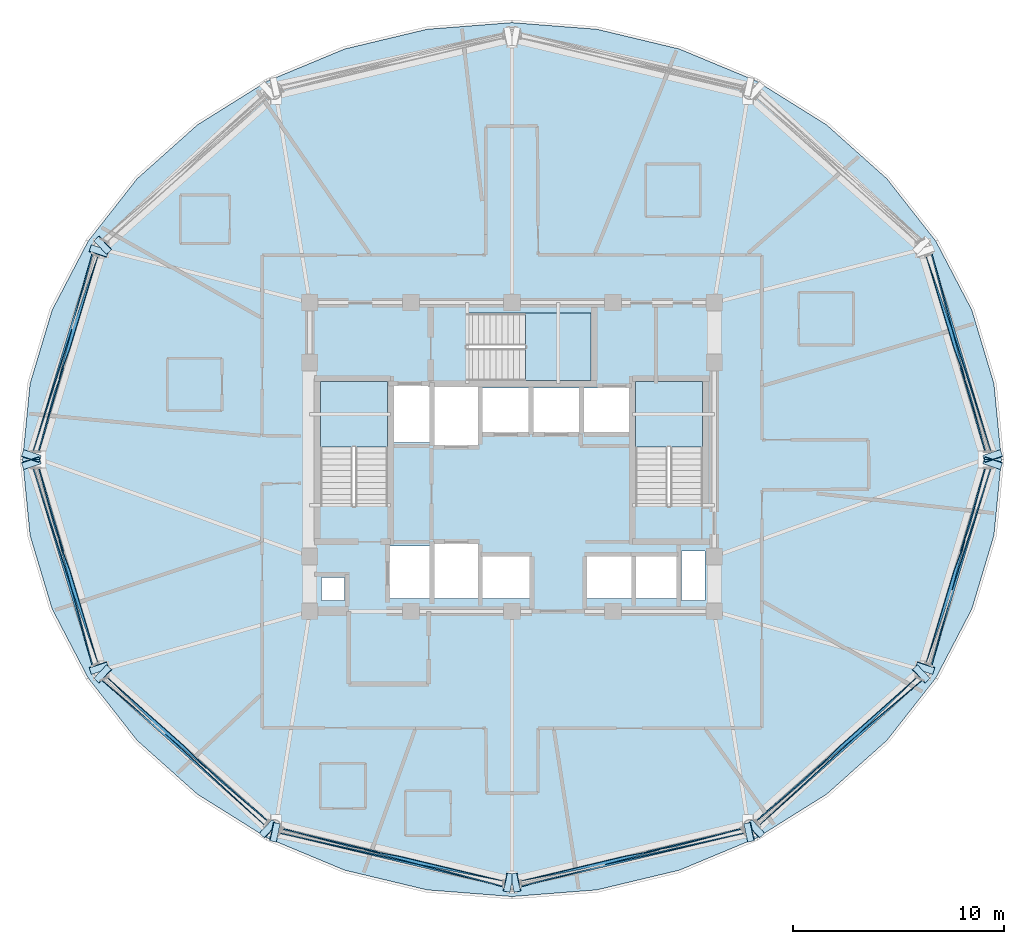
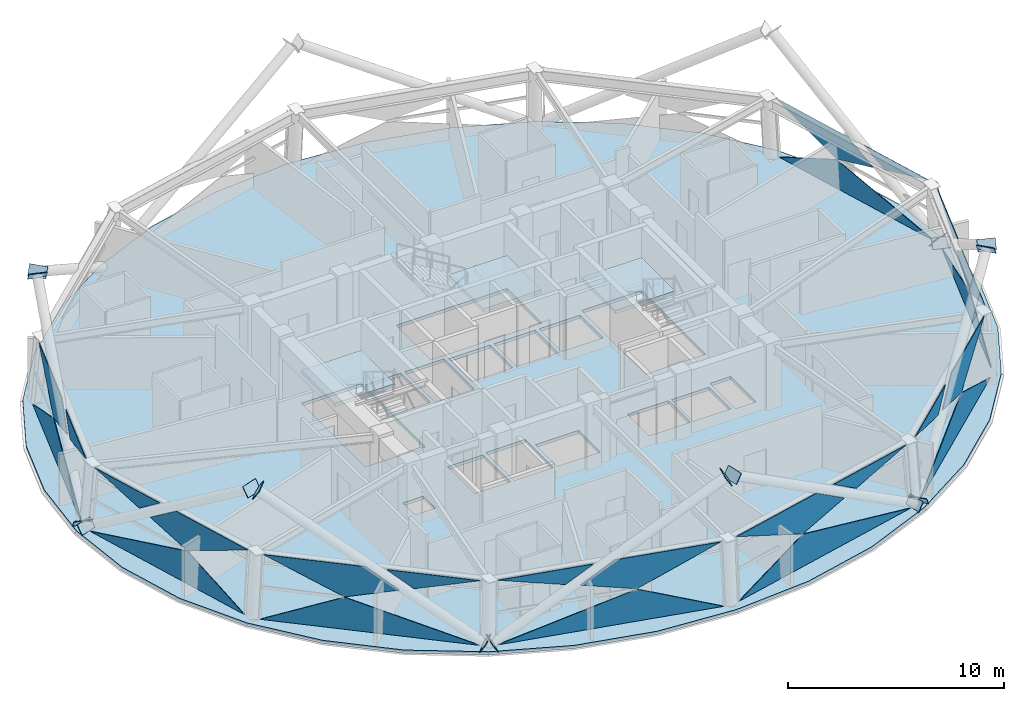
# One storey, part 3 of 12: 40 plates, 4 slabs, 11 elements without a shape of their own.
"""IFC4 building model written with IfcOpenShell, lengths in metres."""

from ifc_helpers import new_model, si_unit, direction, frame, origin, place, context, subcontext, project, spatial, polyline, outline, extrude, material, layer, layer_set, type_object, element, aggregate, save


model = new_model("IFC4")

# Units and contexts
model_context = context("Model", 3, precision=1e-05, world=origin(), true_north=direction((0.0, 1.0)))
body_context = subcontext(model_context, "Body", "Model", "MODEL_VIEW")
ifc_project = project(units=[si_unit("LENGTHUNIT", "METRE"), si_unit("AREAUNIT", "SQUARE_METRE"), si_unit("VOLUMEUNIT", "CUBIC_METRE"), si_unit("PLANEANGLEUNIT", "RADIAN"), si_unit("MASSUNIT", "GRAM", prefix="KILO")], contexts=[model_context])

# Site, building, storey
site_placement = place(None, origin())
site = spatial("IfcSite", under=ifc_project, at=site_placement, CompositionType="ELEMENT")
building_placement = place(site_placement, origin())
building = spatial("IfcBuilding", under=site, at=building_placement, Name="Vantalir Tower", CompositionType="ELEMENT")
storey_placement = place(building_placement, frame((0.0, 0.0, 197.39990234375)))
storey = spatial("IfcBuildingStorey", under=building, at=storey_placement, Name="L49", CompositionType="ELEMENT", Elevation=197.39990234375)

# Curtain wall, plates
ifc_material_1 = material(Name="Champagne-silver PVDF aluminium and double-silver Low-E glass", Category="aluminium")
ifc_layer_1 = layer(ifc_material_1, 0.2099609375)
ifc_layer_set_1 = layer_set([ifc_layer_1], Name="Champagne-silver PVDF aluminium and double-silver Low-E glass")
curtain_wall_type = type_object("IfcCurtainWallType", Name="CW-DIAMOND-Z3", PredefinedType="USERDEFINED", material=ifc_layer_set_1)
curtain_wall_1_placement = place(storey_placement, origin())
curtain_wall_1 = element("IfcCurtainWall", 1, at=curtain_wall_1_placement, inside=storey, type_object=curtain_wall_type, Name="L49 Quilted Pyramid-Diamond Curtain Wall S01", ObjectType="UNITISED CURTAIN WALL", PredefinedType="USERDEFINED")
ifc_material_2 = material(Name="Double-silver Low-E acoustic glass IGU", Category="glass")
ifc_layer_2 = layer(ifc_material_2, 0.031982421875)
ifc_layer_set_2 = layer_set([ifc_layer_2], Name="Double-silver Low-E acoustic glass IGU")
plate_type_1 = type_object("IfcPlateType", Name="CWP-IGU-32", PredefinedType="CURTAIN_PANEL", material=ifc_layer_set_2)
plate_1_placement = place(storey_placement, frame((54.24365234375, 25.406982421875, 0.046630859375), z_axis=(0.955502166213, 0.287244342417, 0.067128966269), x_axis=(-0.287896955758, 0.957661391295, 4.9878197e-05)))
plate_1 = element("IfcPlate", 2, at=plate_1_placement, type_object=plate_type_1, Name="CW-L49-S01 Pyramid Diamond Facet 1L", PredefinedType="CURTAIN_PANEL", context=body_context, shape_type="SweptSolid", body=[
    extrude(outline(polyline([(0.0, 0.0), (9.789472652041528, -2.9327668765732895e-17), (6.064695314507102, 1.7296733371030024), (0.0, 0.0)])), origin(), (0.0, 0.0, -1.0), 0.031982421875),
])
plate_2_placement = place(storey_placement, frame((52.4833984375, 30.2841796875, 3.523193359375), z_axis=(0.953380005827, 0.286649408617, 0.094332820528), x_axis=(-0.287933375796, 0.957650443065, -1.02528e-07)))
plate_2 = element("IfcPlate", 3, at=plate_2_placement, type_object=plate_type_1, Name="CW-L49-S01 Pyramid Diamond Facet 2U", PredefinedType="CURTAIN_PANEL", context=body_context, shape_type="SweptSolid", body=[
    extrude(outline(polyline([(0.0, 0.0), (4.5600583911463985, 1.3877787807814457e-17), (0.8872226121193407, -1.7333151896975312), (-1.5285830688313975, -1.0329270509139452), (0.0, 0.0)])), origin(), (0.0, 0.0, -1.0), 0.031982421875),
])
plate_3_placement = place(storey_placement, frame((53.984130859375, 25.417236328125, 3.52685546875), z_axis=(0.953382425464, 0.286647178585, 0.094315141017), x_axis=(-0.287925272983, 0.957652877431, -5.9378279e-05)))
plate_3 = element("IfcPlate", 4, at=plate_3_placement, type_object=plate_type_1, Name="CW-L49-S01 Pyramid Diamond Facet 2U Infill Light", PredefinedType="CURTAIN_PANEL", context=body_context, shape_type="SweptSolid", body=[
    extrude(outline(polyline([(0.0, 0.0), (4.111615067207057, 4.662069341687669e-18), (2.877573539360685, -0.834113694279638), (0.0, 0.0)])), origin(), (0.0, 0.0, -1.0), 0.031982421875),
])
aggregate(curtain_wall_1, [plate_1, plate_2, plate_3])

curtain_wall_2_placement = place(storey_placement, origin())
curtain_wall_2 = element("IfcCurtainWall", 5, at=curtain_wall_2_placement, inside=storey, type_object=curtain_wall_type, Name="L49 Quilted Pyramid-Diamond Curtain Wall S06", ObjectType="UNITISED CURTAIN WALL", PredefinedType="USERDEFINED")
plate_4_placement = place(storey_placement, frame((11.57470703125, 34.781982421875, 0.047119140625), z_axis=(-0.955502166213, 0.287244342417, 0.067128966269), x_axis=(-0.287896955758, -0.957661391295, -4.9878197e-05)))
plate_4 = element("IfcPlate", 6, at=plate_4_placement, type_object=plate_type_1, Name="CW-L49-S06 Pyramid Diamond Facet 1L", PredefinedType="CURTAIN_PANEL", context=body_context, shape_type="SweptSolid", body=[
    extrude(outline(polyline([(0.0, 0.0), (9.789472652041528, 2.9327668765732895e-17), (3.724777337534425, 1.7296733371030024), (0.0, 0.0)])), origin(), (0.0, 0.0, -1.0), 0.031982421875),
])
plate_5_placement = place(storey_placement, frame((11.82958984375, 34.651123046875, 3.523193359375), z_axis=(-0.953380005827, 0.286649408617, 0.094332820528), x_axis=(-0.287933375796, -0.957650443065, 1.02528e-07)))
plate_5 = element("IfcPlate", 7, at=plate_5_placement, type_object=plate_type_1, Name="CW-L49-S06 Pyramid Diamond Facet 2U", PredefinedType="CURTAIN_PANEL", context=body_context, shape_type="SweptSolid", body=[
    extrude(outline(polyline([(0.0, 0.0), (4.5600583911463985, -1.3877787807814457e-17), (6.088641459977796, -1.0329270509139452), (3.6728357790270576, -1.7333151896975312), (0.0, 0.0)])), origin(), (0.0, 0.0, -1.0), 0.031982421875),
])
plate_6_placement = place(storey_placement, frame((10.19970703125, 29.354736328125, 3.526611328125), z_axis=(-0.953382425464, 0.286647178585, 0.094315141017), x_axis=(-0.287925272983, -0.957652877431, 5.9378279e-05)))
plate_6 = element("IfcPlate", 8, at=plate_6_placement, type_object=plate_type_1, Name="CW-L49-S06 Pyramid Diamond Facet 2U Infill Light", PredefinedType="CURTAIN_PANEL", context=body_context, shape_type="SweptSolid", body=[
    extrude(outline(polyline([(0.0, 0.0), (4.111615067207057, -4.662069341687669e-18), (1.2340415278463723, -0.834113694279638), (0.0, 0.0)])), origin(), (0.0, 0.0, -1.0), 0.031982421875),
])
aggregate(curtain_wall_2, [plate_4, plate_5, plate_6])

curtain_wall_3_placement = place(storey_placement, origin())
curtain_wall_3 = element("IfcCurtainWall", 9, at=curtain_wall_3_placement, inside=storey, type_object=curtain_wall_type, Name="L49 Quilted Pyramid-Diamond Curtain Wall S07", ObjectType="UNITISED CURTAIN WALL", PredefinedType="USERDEFINED")
plate_7_placement = place(storey_placement, frame((8.75634765625, 24.593017578125, 0.046630859375), z_axis=(-0.955502166213, -0.287244342417, 0.067128966269), x_axis=(0.287896955758, -0.957661391295, 4.9878197e-05)))
plate_7 = element("IfcPlate", 10, at=plate_7_placement, type_object=plate_type_1, Name="CW-L49-S07 Pyramid Diamond Facet 1L", PredefinedType="CURTAIN_PANEL", context=body_context, shape_type="SweptSolid", body=[
    extrude(outline(polyline([(0.0, 0.0), (9.789472652041528, -2.9327668765732895e-17), (6.064695314507102, 1.7296733371030024), (0.0, 0.0)])), origin(), (0.0, 0.0, -1.0), 0.031982421875),
])
plate_8_placement = place(storey_placement, frame((10.5166015625, 19.7158203125, 3.523193359375), z_axis=(-0.953380005827, -0.286649408617, 0.094332820528), x_axis=(0.287933375796, -0.957650443065, -1.02528e-07)))
plate_8 = element("IfcPlate", 11, at=plate_8_placement, type_object=plate_type_1, Name="CW-L49-S07 Pyramid Diamond Facet 2U", PredefinedType="CURTAIN_PANEL", context=body_context, shape_type="SweptSolid", body=[
    extrude(outline(polyline([(0.0, 0.0), (4.5600583911463985, 1.3877787807814457e-17), (0.8872226121193407, -1.7333151896975312), (-1.5285830688313975, -1.0329270509139452), (0.0, 0.0)])), origin(), (0.0, 0.0, -1.0), 0.031982421875),
])
plate_9_placement = place(storey_placement, frame((9.015869140625, 24.582763671875, 3.52685546875), z_axis=(-0.953382425464, -0.286647178585, 0.094315141017), x_axis=(0.287925272983, -0.957652877431, -5.9378279e-05)))
plate_9 = element("IfcPlate", 12, at=plate_9_placement, type_object=plate_type_1, Name="CW-L49-S07 Pyramid Diamond Facet 2U Infill Light", PredefinedType="CURTAIN_PANEL", context=body_context, shape_type="SweptSolid", body=[
    extrude(outline(polyline([(0.0, 0.0), (4.111615067207057, 4.662069341687669e-18), (2.877573539360685, -0.834113694279638), (0.0, 0.0)])), origin(), (0.0, 0.0, -1.0), 0.031982421875),
])
aggregate(curtain_wall_3, [plate_7, plate_8, plate_9])

curtain_wall_4_placement = place(storey_placement, origin())
curtain_wall_4 = element("IfcCurtainWall", 13, at=curtain_wall_4_placement, inside=storey, type_object=curtain_wall_type, Name="L49 Quilted Pyramid-Diamond Curtain Wall S08", ObjectType="UNITISED CURTAIN WALL", PredefinedType="USERDEFINED")
plate_10_placement = place(storey_placement, frame((12.014404296875, 14.5283203125, 0.046875), z_axis=(-0.663984326582, -0.745068091654, 0.063232530015), x_axis=(0.746561102412, -0.665316856701, -2.3562716e-05)))
plate_10 = element("IfcPlate", 14, at=plate_10_placement, type_object=plate_type_1, Name="CW-L49-S08 Pyramid Diamond Facet 1L", PredefinedType="CURTAIN_PANEL", context=body_context, shape_type="SweptSolid", body=[
    extrude(outline(polyline([(0.0, 0.0), (10.361310731979284, -5.854691731421724e-18), (3.96212236538051, 1.7296288742040788), (0.0, 0.0)])), origin(), (0.0, 0.0, -1.0), 0.031982421875),
])
plate_11_placement = place(storey_placement, frame((12.26904296875, 14.6591796875, 3.523193359375), z_axis=(-0.662553531823, -0.743569086456, 0.090154484838), x_axis=(0.746612433206, -0.665259251797, 4.980793e-05)))
plate_11 = element("IfcPlate", 15, at=plate_11_placement, type_object=plate_type_1, Name="CW-L49-S08 Pyramid Diamond Facet 2U", PredefinedType="CURTAIN_PANEL", context=body_context, shape_type="SweptSolid", body=[
    extrude(outline(polyline([(0.0, 0.0), (4.81443140337489, -2.688821387764051e-17), (6.420620150073501, -1.0348071856573218), (3.859123806723733, -1.7333292551714738), (0.0, 0.0)])), origin(), (0.0, 0.0, -1.0), 0.031982421875),
])
plate_12_placement = place(storey_placement, frame((16.597412109375, 10.75439453125, 3.526611328125), z_axis=(-0.662576374777, -0.743541148223, 0.090217007741), x_axis=(0.746588979014, -0.665285572757, 5.5649149e-05)))
plate_12 = element("IfcPlate", 16, at=plate_12_placement, type_object=plate_type_1, Name="CW-L49-S08 Pyramid Diamond Facet 2U Infill Light", PredefinedType="CURTAIN_PANEL", context=body_context, shape_type="SweptSolid", body=[
    extrude(outline(polyline([(0.0, 0.0), (4.387140337013057, -7.806255641895632e-18), (1.304587843348981, -0.8404137600183067), (0.0, 0.0)])), origin(), (0.0, 0.0, -1.0), 0.031982421875),
])
aggregate(curtain_wall_4, [plate_10, plate_11, plate_12])

curtain_wall_5_placement = place(storey_placement, origin())
curtain_wall_5 = element("IfcCurtainWall", 17, at=curtain_wall_5_placement, inside=storey, type_object=curtain_wall_type, Name="L49 Quilted Pyramid-Diamond Curtain Wall S09", ObjectType="UNITISED CURTAIN WALL", PredefinedType="USERDEFINED")
plate_13_placement = place(storey_placement, frame((20.480224609375, 7.25341796875, 0.046630859375), z_axis=(-0.231847246293, -0.970918842614, 0.059694685225), x_axis=(0.972653703478, -0.232260139948, 2.2388677e-05)))
plate_13 = element("IfcPlate", 18, at=plate_13_placement, type_object=plate_type_1, Name="CW-L49-S09 Pyramid Diamond Facet 1L", PredefinedType="CURTAIN_PANEL", context=body_context, shape_type="SweptSolid", body=[
    extrude(outline(polyline([(0.0, 0.0), (10.90464702346708, -1.6127507315721878e-17), (6.754017756472119, 1.7294955271253203), (0.0, 0.0)])), origin(), (0.0, 0.0, -1.0), 0.031982421875),
])
plate_14_placement = place(storey_placement, frame((26.12646484375, 6.16796875, 3.5234375), z_axis=(-0.231369847182, -0.968975027795, 0.086921742536), x_axis=(0.9726564139, -0.232248790089, 1.012551e-06)))
plate_14 = element("IfcPlate", 19, at=plate_14_placement, type_object=plate_type_1, Name="CW-L49-S09 Pyramid Diamond Facet 2U", PredefinedType="CURTAIN_PANEL", context=body_context, shape_type="SweptSolid", body=[
    extrude(outline(polyline([(0.0, 0.0), (5.099633603987261, 1.3877787807814457e-17), (1.0101105331855291, -1.7328780782961377), (-1.6861816620711338, -1.0317301114437538), (0.0, 0.0)])), origin(), (0.0, 0.0, -1.0), 0.031982421875),
])
plate_15_placement = place(storey_placement, frame((20.618896484375, 7.4462890625, 3.52685546875), z_axis=(-0.231359191584, -0.968958755351, 0.087131250985), x_axis=(0.97265684936, -0.232246960321, -5.3060763e-05)))
plate_15 = element("IfcPlate", 20, at=plate_15_placement, type_object=plate_type_1, Name="CW-L49-S09 Pyramid Diamond Facet 2U Infill Light", PredefinedType="CURTAIN_PANEL", context=body_context, shape_type="SweptSolid", body=[
    extrude(outline(polyline([(0.0, 0.0), (4.601151783202454, -8.456776945386935e-18), (3.2288574456792145, -0.8396920803000676), (0.0, 0.0)])), origin(), (0.0, 0.0, -1.0), 0.031982421875),
])
aggregate(curtain_wall_5, [plate_13, plate_14, plate_15])

curtain_wall_6_placement = place(storey_placement, origin())
curtain_wall_6 = element("IfcCurtainWall", 21, at=curtain_wall_6_placement, inside=storey, type_object=curtain_wall_type, Name="L49 Quilted Pyramid-Diamond Curtain Wall S10", ObjectType="UNITISED CURTAIN WALL", PredefinedType="USERDEFINED")
plate_16_placement = place(storey_placement, frame((31.913330078125, 4.720703125, 0.046875), z_axis=(0.231847246293, -0.970918842614, 0.059694685225), x_axis=(0.972653703478, 0.232260139948, -2.2388677e-05)))
plate_16 = element("IfcPlate", 22, at=plate_16_placement, type_object=plate_type_1, Name="CW-L49-S10 Pyramid Diamond Facet 1L", PredefinedType="CURTAIN_PANEL", context=body_context, shape_type="SweptSolid", body=[
    extrude(outline(polyline([(0.0, 0.0), (10.90464702346708, 1.6127507315721878e-17), (4.150629266994962, 1.7294955271253203), (0.0, 0.0)])), origin(), (0.0, 0.0, -1.0), 0.031982421875),
])
plate_17_placement = place(storey_placement, frame((31.913330078125, 4.983642578125, 3.5234375), z_axis=(0.231369847182, -0.968975027795, 0.086921742536), x_axis=(0.9726564139, 0.232248790089, -1.012551e-06)))
plate_17 = element("IfcPlate", 23, at=plate_17_placement, type_object=plate_type_1, Name="CW-L49-S10 Pyramid Diamond Facet 2U", PredefinedType="CURTAIN_PANEL", context=body_context, shape_type="SweptSolid", body=[
    extrude(outline(polyline([(0.0, 0.0), (5.099633603987261, -1.3877787807814457e-17), (6.785815266058395, -1.0317301114437538), (4.089523070801732, -1.7328780782961377), (0.0, 0.0)])), origin(), (0.0, 0.0, -1.0), 0.031982421875),
])
plate_18_placement = place(storey_placement, frame((37.90576171875, 6.377685546875, 3.526611328125), z_axis=(0.231359191584, -0.968958755351, 0.087131250985), x_axis=(0.97265684936, 0.232246960321, 5.3060763e-05)))
plate_18 = element("IfcPlate", 24, at=plate_18_placement, type_object=plate_type_1, Name="CW-L49-S10 Pyramid Diamond Facet 2U Infill Light", PredefinedType="CURTAIN_PANEL", context=body_context, shape_type="SweptSolid", body=[
    extrude(outline(polyline([(0.0, 0.0), (4.601151783202454, 8.456776945386935e-18), (1.3722943375232384, -0.8396920803000677), (0.0, 0.0)])), origin(), (0.0, 0.0, -1.0), 0.031982421875),
])
aggregate(curtain_wall_6, [plate_16, plate_17, plate_18])

curtain_wall_7_placement = place(storey_placement, origin())
curtain_wall_7 = element("IfcCurtainWall", 25, at=curtain_wall_7_placement, inside=storey, type_object=curtain_wall_type, Name="L49 Quilted Pyramid-Diamond Curtain Wall S11", ObjectType="UNITISED CURTAIN WALL", PredefinedType="USERDEFINED")
plate_19_placement = place(storey_placement, frame((43.250244140625, 7.634765625, 0.046630859375), z_axis=(0.663984326582, -0.745068091654, 0.063232530015), x_axis=(0.746561102412, 0.665316856701, 2.3562716e-05)))
plate_19 = element("IfcPlate", 26, at=plate_19_placement, type_object=plate_type_1, Name="CW-L49-S11 Pyramid Diamond Facet 1L", PredefinedType="CURTAIN_PANEL", context=body_context, shape_type="SweptSolid", body=[
    extrude(outline(polyline([(0.0, 0.0), (10.361310731979284, 5.854691731421724e-18), (6.399188366598775, 1.7296288742040788), (0.0, 0.0)])), origin(), (0.0, 0.0, -1.0), 0.031982421875),
])
plate_20_placement = place(storey_placement, frame((47.136474609375, 11.456298828125, 3.5234375), z_axis=(0.662553531823, -0.743569086456, 0.090154484838), x_axis=(0.746612433206, 0.665259251797, -4.980793e-05)))
plate_20 = element("IfcPlate", 27, at=plate_20_placement, type_object=plate_type_1, Name="CW-L49-S11 Pyramid Diamond Facet 2U", PredefinedType="CURTAIN_PANEL", context=body_context, shape_type="SweptSolid", body=[
    extrude(outline(polyline([(0.0, 0.0), (4.81443140337489, 2.688821387764051e-17), (0.9553075966511566, -1.7333292551714738), (-1.6061887466986107, -1.0348071856573218), (0.0, 0.0)])), origin(), (0.0, 0.0, -1.0), 0.031982421875),
])
plate_21_placement = place(storey_placement, frame((43.127197265625, 7.835693359375, 3.52685546875), z_axis=(0.662576374777, -0.743541148223, 0.090217007741), x_axis=(0.746588979014, 0.665285572757, -5.5649149e-05)))
plate_21 = element("IfcPlate", 28, at=plate_21_placement, type_object=plate_type_1, Name="CW-L49-S11 Pyramid Diamond Facet 2U Infill Light", PredefinedType="CURTAIN_PANEL", context=body_context, shape_type="SweptSolid", body=[
    extrude(outline(polyline([(0.0, 0.0), (4.387140337013057, 7.806255641895632e-18), (3.0825524936640756, -0.8404137600183067), (0.0, 0.0)])), origin(), (0.0, 0.0, -1.0), 0.031982421875),
])
aggregate(curtain_wall_7, [plate_19, plate_20, plate_21])

curtain_wall_8_placement = place(storey_placement, origin())
curtain_wall_8 = element("IfcCurtainWall", 29, at=curtain_wall_8_placement, inside=storey, type_object=curtain_wall_type, Name="L49 Quilted Pyramid-Diamond Curtain Wall S12", ObjectType="UNITISED CURTAIN WALL", PredefinedType="USERDEFINED")
plate_22_placement = place(storey_placement, frame((51.42529296875, 15.218017578125, 0.047119140625), z_axis=(0.955502166213, -0.287244342417, 0.067128966269), x_axis=(0.287896955758, 0.957661391295, -4.9878197e-05)))
plate_22 = element("IfcPlate", 30, at=plate_22_placement, type_object=plate_type_1, Name="CW-L49-S12 Pyramid Diamond Facet 1L", PredefinedType="CURTAIN_PANEL", context=body_context, shape_type="SweptSolid", body=[
    extrude(outline(polyline([(0.0, 0.0), (9.789472652041528, 2.9327668765732895e-17), (3.724777337534425, 1.7296733371030024), (0.0, 0.0)])), origin(), (0.0, 0.0, -1.0), 0.031982421875),
])
plate_23_placement = place(storey_placement, frame((51.17041015625, 15.348876953125, 3.523193359375), z_axis=(0.953380005827, -0.286649408617, 0.094332820528), x_axis=(0.287933375796, 0.957650443065, 1.02528e-07)))
plate_23 = element("IfcPlate", 31, at=plate_23_placement, type_object=plate_type_1, Name="CW-L49-S12 Pyramid Diamond Facet 2U", PredefinedType="CURTAIN_PANEL", context=body_context, shape_type="SweptSolid", body=[
    extrude(outline(polyline([(0.0, 0.0), (4.5600583911463985, -1.3877787807814457e-17), (6.088641459977796, -1.0329270509139452), (3.6728357790270576, -1.7333151896975312), (0.0, 0.0)])), origin(), (0.0, 0.0, -1.0), 0.031982421875),
])
plate_24_placement = place(storey_placement, frame((52.80029296875, 20.645263671875, 3.526611328125), z_axis=(0.953382425464, -0.286647178585, 0.094315141017), x_axis=(0.287925272983, 0.957652877431, 5.9378279e-05)))
plate_24 = element("IfcPlate", 32, at=plate_24_placement, type_object=plate_type_1, Name="CW-L49-S12 Pyramid Diamond Facet 2U Infill Light", PredefinedType="CURTAIN_PANEL", context=body_context, shape_type="SweptSolid", body=[
    extrude(outline(polyline([(0.0, 0.0), (4.111615067207057, -4.662069341687669e-18), (1.2340415278463723, -0.834113694279638), (0.0, 0.0)])), origin(), (0.0, 0.0, -1.0), 0.031982421875),
])
aggregate(curtain_wall_8, [plate_22, plate_23, plate_24])

# Plates
ifc_material_3 = material(Name="Steel S460", Category="steel")
ifc_layer_3 = layer(ifc_material_3, 0.035888671875)
ifc_layer_set_3 = layer_set([ifc_layer_3], Name="Steel S460")
plate_type_2 = type_object("IfcPlateType", Name="PLT-KN-Z2", PredefinedType="USERDEFINED", material=ifc_layer_set_3)
plate_25_placement = place(storey_placement, frame((54.673828125, 25.471435546875, -0.032470703125), z_axis=(-0.259593208658, 0.786708767806, 0.560089886247), x_axis=(-0.949649026051, -0.313315693166, -6.1123879e-05)))
element("IfcPlate", 33, at=plate_25_placement, inside=storey, type_object=plate_type_2, Name="Node Cap Plate MEM-DG-L49-R01L Start", ObjectType="FLANGE_PLATE", PredefinedType="USERDEFINED", context=body_context, shape_type="SweptSolid", body=[
    extrude(outline(polyline([(0.0, 0.0), (0.8799760824602756, 0.0), (0.8799534019193953, 0.5800387095738335), (-9.917363003215845e-05, 0.5799088500322518), (0.0, 0.0)])), origin(), (0.0, 0.0, -1.0), 0.035888671875),
])
for number, where, z_axis, x_axis, name in (
    (34, (53.838134765625, 24.80419921875, -0.032470703125), (-0.259593208658, -0.786708767806, 0.560089886247), (0.949649026051, -0.313315693166, 6.1123879e-05), "Node Cap Plate MEM-DG-L49-R01R Start"),
    (35, (50.629150390625, 15.07666015625, 6.892333984375), (-0.259593208658, -0.786708767806, 0.560089886247), (0.949649026051, -0.313315693166, 6.1123879e-05), "Node Cap Plate MEM-DG-L49-R01R End"),
):
    element("IfcPlate", number, at=place(storey_placement, frame(where, z_axis=z_axis, x_axis=x_axis)), inside=storey, type_object=plate_type_2, Name=name, ObjectType="FLANGE_PLATE", PredefinedType="USERDEFINED", context=body_context, shape_type="SweptSolid", body=[
        extrude(outline(polyline([(0.0, 0.0), (0.8799760824602756, 0.0), (0.8800752560903078, 0.5799088500322517), (2.268054088023957e-05, 0.5800387095738335), (0.0, 0.0)])), origin(), (0.0, 0.0, -1.0), 0.035888671875),
    ])
plate_26_placement = place(storey_placement, frame((11.654541015625, 35.38232421875, 6.892333984375), z_axis=(-0.613977066316, -0.574102368883, 0.541699761935), x_axis=(0.682990078284, -0.73042765074, 0.0)))
element("IfcPlate", 36, at=plate_26_placement, inside=storey, type_object=plate_type_2, Name="Node Cap Plate MEM-DG-L49-R13L End", ObjectType="FLANGE_PLATE", PredefinedType="USERDEFINED", context=body_context, shape_type="SweptSolid", body=[
    extrude(outline(polyline([(0.0, 0.0), (0.8800628850424161, 2.7755575615628914e-17), (0.880054283623114, 0.5800202722315093), (-8.601419302117774e-06, 0.5800202722315093), (0.0, 0.0)])), origin(), (0.0, 0.0, -1.0), 0.035888671875),
])
for number, where, z_axis, x_axis, name in (
    (37, (8.326171875, 24.528564453125, -0.032470703125), (0.259593208658, -0.786708767806, 0.560089886247), (0.949649026051, 0.313315693166, -6.1123879e-05), "Node Cap Plate MEM-DG-L49-R19L Start"),
    (38, (11.53515625, 14.801025390625, 6.892333984375), (0.259593208658, -0.786708767806, 0.560089886247), (0.949649026051, 0.313315693166, -6.1123879e-05), "Node Cap Plate MEM-DG-L49-R19L End"),
):
    element("IfcPlate", number, at=place(storey_placement, frame(where, z_axis=z_axis, x_axis=x_axis)), inside=storey, type_object=plate_type_2, Name=name, ObjectType="FLANGE_PLATE", PredefinedType="USERDEFINED", context=body_context, shape_type="SweptSolid", body=[
        extrude(outline(polyline([(0.0, 0.0), (0.8799760824602756, 0.0), (0.8799534019193953, 0.5800387095738335), (-9.917363003215845e-05, 0.5799088500322518), (0.0, 0.0)])), origin(), (0.0, 0.0, -1.0), 0.035888671875),
    ])
for number, where, z_axis, x_axis, name in (
    (39, (9.161865234375, 25.19580078125, -0.032470703125), (0.259593208658, 0.786708767806, 0.560089886247), (-0.949649026051, 0.313315693166, 6.1123879e-05), "Node Cap Plate MEM-DG-L49-R19R Start"),
    (40, (12.370849609375, 34.92333984375, 6.892333984375), (0.259593208658, 0.786708767806, 0.560089886247), (-0.949649026051, 0.313315693166, 6.1123879e-05), "Node Cap Plate MEM-DG-L49-R19R End"),
):
    element("IfcPlate", number, at=place(storey_placement, frame(where, z_axis=z_axis, x_axis=x_axis)), inside=storey, type_object=plate_type_2, Name=name, ObjectType="FLANGE_PLATE", PredefinedType="USERDEFINED", context=body_context, shape_type="SweptSolid", body=[
        extrude(outline(polyline([(0.0, 0.0), (0.8799760824602756, 0.0), (0.8800752560903078, 0.5799088500322517), (2.268054088023957e-05, 0.5800387095738335), (0.0, 0.0)])), origin(), (0.0, 0.0, -1.0), 0.035888671875),
    ])
plate_27_placement = place(storey_placement, frame((20.312255859375, 6.848876953125, -0.048095703125), z_axis=(0.833773681444, -0.179840498907, 0.521995060402), x_axis=(0.210837880106, 0.977521042302, 1.3020154e-05)))
element("IfcPlate", 41, at=plate_27_placement, inside=storey, type_object=plate_type_2, Name="Node Cap Plate MEM-DG-L49-R25L Start", ObjectType="FLANGE_PLATE", PredefinedType="USERDEFINED", context=body_context, shape_type="SweptSolid", body=[
    extrude(outline(polyline([(0.0, 0.0), (0.8801320659063131, 1.3877787807814457e-17), (0.8800402348965092, 0.5798913340487858), (0.0001468215884142464, 0.5799182006200991), (0.0, 0.0)])), origin(), (0.0, 0.0, -1.0), 0.035888671875),
])
plate_28_placement = place(storey_placement, frame((31.39501953125, 4.45751953125, 6.892578125), z_axis=(0.833635137396, -0.179954448478, 0.522177033363), x_axis=(0.211042962137, 0.977476784627, -6.038768e-05)))
element("IfcPlate", 42, at=plate_28_placement, inside=storey, type_object=plate_type_2, Name="Node Cap Plate MEM-DG-L49-R25L End", ObjectType="FLANGE_PLATE", PredefinedType="USERDEFINED", context=body_context, shape_type="SweptSolid", body=[
    extrude(outline(polyline([(0.0, 0.0), (0.8799449234445886, 0.0), (0.8799403968480161, 0.5800428193991712), (4.6997564105360945e-05, 0.5799182087886863), (0.0, 0.0)])), origin(), (0.0, 0.0, -1.0), 0.035888671875),
])
for number, where, z_axis, x_axis, name in (
    (43, (20.11279296875, 7.91162109375, -0.040283203125), (-0.613977066316, 0.574102368883, 0.541699761935), (-0.682990078284, -0.73042765074, 0.0), "Node Cap Plate MEM-DG-L49-R25R Start"),
    (44, (12.255615234375, 15.260498046875, 6.892333984375), (-0.613977066316, 0.574102368883, 0.541699761935), (-0.682990078284, -0.73042765074, 0.0), "Node Cap Plate MEM-DG-L49-R25R End"),
):
    element("IfcPlate", number, at=place(storey_placement, frame(where, z_axis=z_axis, x_axis=x_axis)), inside=storey, type_object=plate_type_2, Name=name, ObjectType="FLANGE_PLATE", PredefinedType="USERDEFINED", context=body_context, shape_type="SweptSolid", body=[
        extrude(outline(polyline([(0.0, 0.0), (0.8800628850424161, -2.7755575615628914e-17), (0.8800714864617183, 0.5800202722315093), (8.601419302117774e-06, 0.5800202722315093), (0.0, 0.0)])), origin(), (0.0, 0.0, -1.0), 0.035888671875),
    ])
for number, where, z_axis, x_axis, name in (
    (45, (43.48828125, 7.268798828125, -0.040283203125), (0.613977066316, 0.574102368883, 0.541699761935), (-0.682990078284, 0.73042765074, 0.0), "Node Cap Plate MEM-DG-L49-R31L Start"),
    (46, (51.345458984375, 14.61767578125, 6.892333984375), (0.613977066316, 0.574102368883, 0.541699761935), (-0.682990078284, 0.73042765074, 0.0), "Node Cap Plate MEM-DG-L49-R31L End"),
):
    element("IfcPlate", number, at=place(storey_placement, frame(where, z_axis=z_axis, x_axis=x_axis)), inside=storey, type_object=plate_type_2, Name=name, ObjectType="FLANGE_PLATE", PredefinedType="USERDEFINED", context=body_context, shape_type="SweptSolid", body=[
        extrude(outline(polyline([(0.0, 0.0), (0.8800628850424161, 2.7755575615628914e-17), (0.880054283623114, 0.5800202722315093), (-8.601419302117774e-06, 0.5800202722315093), (0.0, 0.0)])), origin(), (0.0, 0.0, -1.0), 0.035888671875),
    ])
plate_29_placement = place(storey_placement, frame((42.502197265625, 7.709228515625, -0.048095703125), z_axis=(-0.833773681444, -0.179840498907, 0.521995060402), x_axis=(0.210837880106, -0.977521042302, -1.3020154e-05)))
element("IfcPlate", 47, at=plate_29_placement, inside=storey, type_object=plate_type_2, Name="Node Cap Plate MEM-DG-L49-R31R Start", ObjectType="FLANGE_PLATE", PredefinedType="USERDEFINED", context=body_context, shape_type="SweptSolid", body=[
    extrude(outline(polyline([(0.0, 0.0), (0.8801320659063131, -1.3877787807814457e-17), (0.8799852443178988, 0.5799182006200991), (9.183100980400525e-05, 0.5798913340487858), (0.0, 0.0)])), origin(), (0.0, 0.0, -1.0), 0.035888671875),
])
plate_30_placement = place(storey_placement, frame((31.419189453125, 5.317626953125, 6.892578125), z_axis=(-0.833635137396, -0.179954448478, 0.522177033363), x_axis=(0.211042962137, -0.977476784627, 6.038768e-05)))
element("IfcPlate", 48, at=plate_30_placement, inside=storey, type_object=plate_type_2, Name="Node Cap Plate MEM-DG-L49-R31R End", ObjectType="FLANGE_PLATE", PredefinedType="USERDEFINED", context=body_context, shape_type="SweptSolid", body=[
    extrude(outline(polyline([(0.0, 0.0), (0.8799449234445886, 0.0), (0.8798979258804832, 0.5799182087886863), (4.526596572662737e-06, 0.5800428193991712), (0.0, 0.0)])), origin(), (0.0, 0.0, -1.0), 0.035888671875),
])

# Stair, slab
ifc_material_4 = material(Name="Concrete C40/50", Category="concrete")
stair_type = type_object("IfcStairType", Name="STR-CORE-1450", PredefinedType="HALF_TURN_STAIR", material=ifc_material_4)
stair_1_placement = place(storey_placement, origin())
stair_1 = element("IfcStair", 49, at=stair_1_placement, inside=storey, type_object=stair_type, Name="L49 Core Exit Stair 1", PredefinedType="HALF_TURN_STAIR")
ifc_layer_4 = layer(ifc_material_4, 0.199951171875)
ifc_layer_set_4 = layer_set([ifc_layer_4], Name="Concrete C40/50")
slab_type_1 = type_object("IfcSlabType", Name="SL-LAND-200", PredefinedType="LANDING", material=ifc_layer_set_4)
slab_1_placement = place(storey_placement, frame((0.0, 0.0, 1.675048828125)))
slab_1 = element("IfcSlab", 50, at=slab_1_placement, type_object=slab_type_1, Name="ST1 landing 1", PredefinedType="LANDING", context=body_context, shape_type="SweptSolid", body=[
    extrude(outline(polyline([(25.60009765625, 25.590087890625), (25.60009765625, 28.699951171875), (22.39990234375, 28.699951171875), (22.39990234375, 25.590087890625), (25.60009765625, 25.590087890625)])), origin(), (0.0, 0.0, 1.0), 0.199951171875),
])
aggregate(stair_1, [slab_1])

stair_2_placement = place(storey_placement, origin())
stair_2 = element("IfcStair", 51, at=stair_2_placement, inside=storey, type_object=stair_type, Name="L49 Core Exit Stair 2", PredefinedType="HALF_TURN_STAIR")
slab_2_placement = place(storey_placement, frame((0.0, 0.0, 1.675048828125)))
slab_2 = element("IfcSlab", 52, at=slab_2_placement, type_object=slab_type_1, Name="ST2 landing 1", PredefinedType="LANDING", context=body_context, shape_type="SweptSolid", body=[
    extrude(outline(polyline([(40.550048828125, 25.590087890625), (40.550048828125, 28.699951171875), (37.35009765625, 28.699951171875), (37.35009765625, 25.590087890625), (40.550048828125, 25.590087890625)])), origin(), (0.0, 0.0, 1.0), 0.199951171875),
])
aggregate(stair_2, [slab_2])

stair_3_placement = place(storey_placement, origin())
stair_3 = element("IfcStair", 53, at=stair_3_placement, inside=storey, type_object=stair_type, Name="L49 Core Exit Stair 3", PredefinedType="HALF_TURN_STAIR")
slab_3_placement = place(storey_placement, frame((0.0, 0.0, 1.675048828125)))
slab_3 = element("IfcSlab", 54, at=slab_3_placement, type_object=slab_type_1, Name="ST3 landing 1", PredefinedType="LANDING", context=body_context, shape_type="SweptSolid", body=[
    extrude(outline(polyline([(32.139892578125, 28.75), (35.25, 28.75), (35.25, 31.949951171875), (32.139892578125, 31.949951171875), (32.139892578125, 28.75)])), origin(), (0.0, 0.0, 1.0), 0.199951171875),
])
aggregate(stair_3, [slab_3])

# Slab
ifc_layer_5 = layer(ifc_material_4, 0.179931640625)
ifc_layer_set_5 = layer_set([ifc_layer_5], Name="Concrete C40/50")
slab_type_2 = type_object("IfcSlabType", Name="SL-TWR-180", PredefinedType="FLOOR", material=ifc_layer_set_5)
slab_4_placement = place(storey_placement, frame((0.0, 0.0, -0.179931640625)))
element("IfcSlab", 55, at=slab_4_placement, inside=storey, type_object=slab_type_2, Name="L49 Primary Structural Slab", PredefinedType="FLOOR", context=body_context, shape_type="SweptSolid", body=[
    extrude(outline(polyline([(13.7080078125, 11.669921875), (16.571044921875, 9.114013671875), (19.886962890625, 7.0400390625), (23.555908203125, 5.512939453125), (27.467041015625, 4.576904296875), (31.5, 4.261962890625), (35.532958984375, 4.576904296875), (39.444091796875, 5.512939453125), (43.113037109375, 7.0400390625), (46.428955078125, 9.114013671875), (49.2919921875, 11.669921875), (51.614013671875, 14.631103515625), (53.324951171875, 17.906982421875), (54.373046875, 21.39892578125), (54.72607421875, 25.0), (54.373046875, 28.60107421875), (53.324951171875, 32.093017578125), (51.614013671875, 35.368896484375), (49.2919921875, 38.330078125), (46.428955078125, 40.885986328125), (43.113037109375, 42.9599609375), (39.444091796875, 44.487060546875), (35.532958984375, 45.423095703125), (31.5, 45.738037109375), (27.467041015625, 45.423095703125), (23.555908203125, 44.487060546875), (19.886962890625, 42.9599609375), (16.571044921875, 40.885986328125), (13.7080078125, 38.330078125), (11.385986328125, 35.368896484375), (9.675048828125, 32.093017578125), (8.626953125, 28.60107421875), (8.27392578125, 25.0), (8.626953125, 21.39892578125), (9.675048828125, 17.906982421875), (11.385986328125, 14.631103515625), (13.7080078125, 11.669921875)]), holes=[polyline([(22.39990234375, 28.699951171875), (25.60009765625, 28.699951171875), (25.60009765625, 22.7900390625), (22.39990234375, 22.7900390625), (22.39990234375, 28.699951171875)]), polyline([(40.550048828125, 28.699951171875), (40.550048828125, 22.7900390625), (37.35009765625, 22.7900390625), (37.35009765625, 28.699951171875), (40.550048828125, 28.699951171875)]), polyline([(29.340087890625, 28.75), (29.340087890625, 31.949951171875), (35.25, 31.949951171875), (35.25, 28.75), (29.340087890625, 28.75)]), polyline([(25.699951171875, 18.39990234375), (25.699951171875, 20.89990234375), (27.60009765625, 20.89990234375), (27.60009765625, 18.39990234375), (25.699951171875, 18.39990234375)]), polyline([(25.699951171875, 28.5), (27.60009765625, 28.5), (27.60009765625, 25.800048828125), (25.699951171875, 25.800048828125), (25.699951171875, 28.5)]), polyline([(29.89990234375, 21.0), (29.89990234375, 18.39990234375), (27.800048828125, 18.39990234375), (27.800048828125, 21.0), (29.89990234375, 21.0)]), polyline([(29.89990234375, 25.699951171875), (27.800048828125, 25.699951171875), (27.800048828125, 28.5), (29.89990234375, 28.5), (29.89990234375, 25.699951171875)]), polyline([(30.10009765625, 18.39990234375), (30.10009765625, 20.39990234375), (32.39990234375, 20.39990234375), (32.39990234375, 18.39990234375), (30.10009765625, 18.39990234375)]), polyline([(37.35009765625, 20.39990234375), (39.35009765625, 20.39990234375), (39.35009765625, 18.39990234375), (37.35009765625, 18.39990234375), (37.35009765625, 20.39990234375)]), polyline([(37.199951171875, 20.39990234375), (37.199951171875, 18.39990234375), (35.0, 18.39990234375), (35.0, 20.39990234375), (37.199951171875, 20.39990234375)]), polyline([(32.300048828125, 26.300048828125), (30.10009765625, 26.300048828125), (30.10009765625, 28.39990234375), (32.300048828125, 28.39990234375), (32.300048828125, 26.300048828125)]), polyline([(32.5, 26.300048828125), (32.5, 28.39990234375), (34.699951171875, 28.39990234375), (34.699951171875, 26.300048828125), (32.5, 26.300048828125)]), polyline([(34.89990234375, 28.39990234375), (37.10009765625, 28.39990234375), (37.10009765625, 26.300048828125), (34.89990234375, 26.300048828125), (34.89990234375, 28.39990234375)]), polyline([(23.550048828125, 19.39990234375), (23.550048828125, 18.300048828125), (22.449951171875, 18.300048828125), (22.449951171875, 19.39990234375), (23.550048828125, 19.39990234375)]), polyline([(40.64990234375, 18.300048828125), (39.550048828125, 18.300048828125), (39.550048828125, 20.64990234375), (40.64990234375, 20.64990234375), (40.64990234375, 18.300048828125)])]), origin(), (0.0, 0.0, 1.0), 0.179931640625),
])

save(model, "model.ifc")
